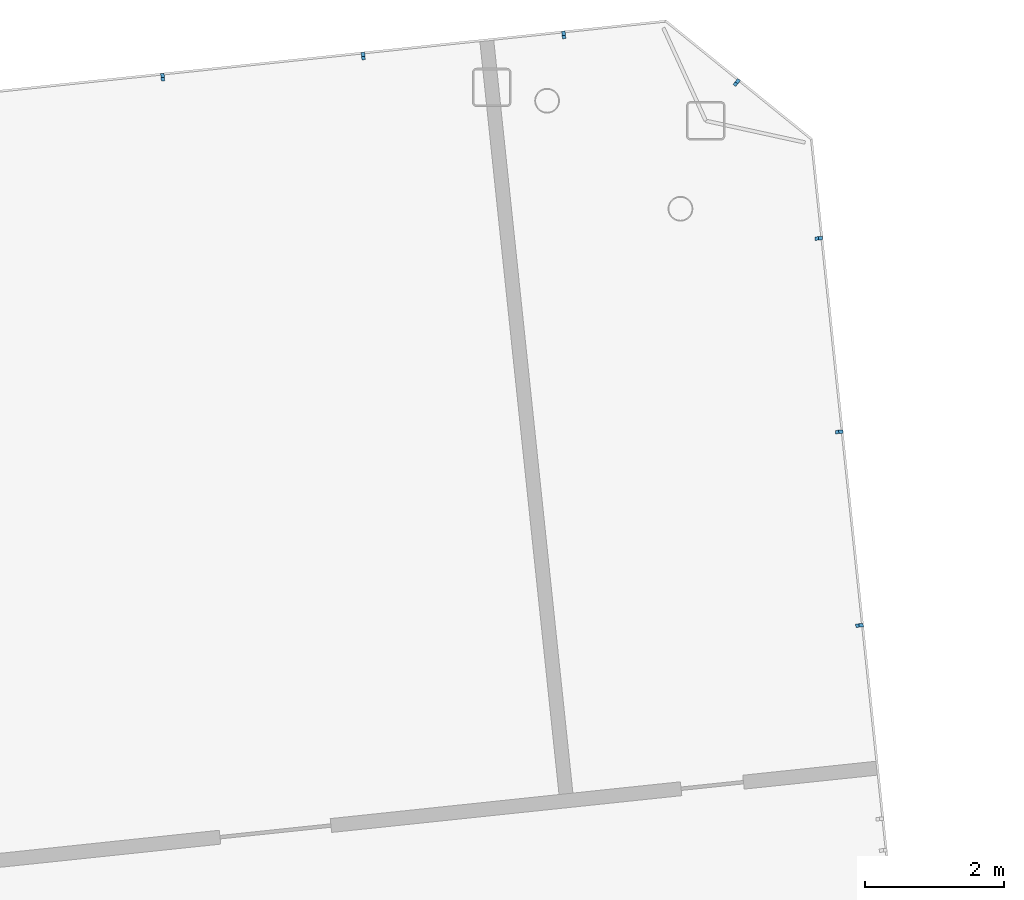
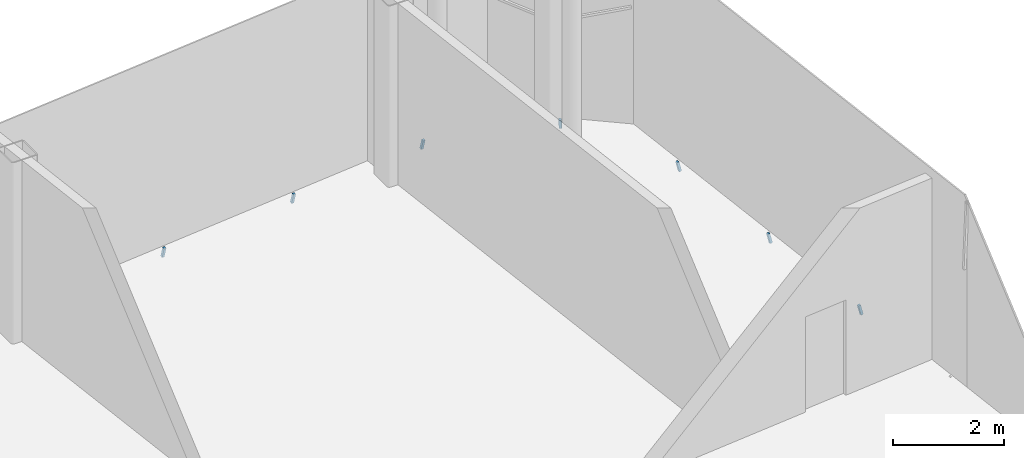
# One storey, part 25 of 28: 7 discrete accessories.
"""IFC4 building model written with IfcOpenShell, lengths in metres."""

from ifc_helpers import new_model, si_unit, direction, frame, origin, origin_2d, place, context, subcontext, project, spatial, rectangle, extrude, material, material_profile, profile_set, type_object, element, save


model = new_model("IFC4")

# Units and contexts
model_context = context("Model", 3, precision=1e-05, world=origin(), true_north=direction((0.0, 1.0)))
body_context = subcontext(model_context, "Body", "Model", "MODEL_VIEW")
ifc_project = project(units=[si_unit("LENGTHUNIT", "METRE"), si_unit("AREAUNIT", "SQUARE_METRE"), si_unit("VOLUMEUNIT", "CUBIC_METRE"), si_unit("PLANEANGLEUNIT", "RADIAN"), si_unit("MASSUNIT", "GRAM", prefix="KILO")], contexts=[model_context])

# Site, building, storey
site_placement = place(None, origin())
site = spatial("IfcSite", under=ifc_project, at=site_placement, CompositionType="ELEMENT")
building_placement = place(site_placement, origin())
building = spatial("IfcBuilding", under=site, at=building_placement, Name="Hakoniwa Tower and Hamabe Station Hall", CompositionType="ELEMENT")
storey_placement = place(building_placement, frame((0.0, 0.0, 280.800048828125)))
storey = spatial("IfcBuildingStorey", under=building, at=storey_placement, Name="L78", CompositionType="ELEMENT", Elevation=280.800048828125)

# Discrete accessories
ifc_material = material(Name="Stainless steel SUS304", Category="steel")
ifc_material_profile = material_profile(ifc_material, rectangle(XDim=0.050048828125, YDim=0.050048828125, at=origin_2d()), Name="CW-4 GLAZING BRACKET 50X50")
ifc_profile_set = profile_set([ifc_material_profile], Name="Stainless steel SUS304")
discrete_accessory_type = type_object("IfcDiscreteAccessoryType", Name="CW-4 GLAZING BRACKET 50X50", PredefinedType="BRACKET", material=ifc_profile_set)
for number, where, z_axis, x_axis, name in (
    (1, (36.3427734375, 20.353759765625, 0.0), (0.256726269009, 0.026196558062, -0.96612906133), (-0.101513688013, 0.994834142531, 0.0), "Glazing bracket"),
    (2, (36.634765625, 17.57763671875, 0.0), (0.255747074986, 0.026203593749, -0.966388537448), (-0.101925414299, 0.994792043555, 0.0), "Glazing bracket"),
    (3, (36.926513671875, 14.801513671875, 0.0), (0.255747074986, 0.026203593749, -0.966388537448), (-0.101925414299, 0.994792043555, 0.0), "Glazing bracket"),
    (4, (35.17626953125, 22.568115234375, 0.0), (0.162431501858, 0.200157528096, -0.966205449762), (-0.776486922384, 0.630133366333, 0.0), "Glazing bracket"),
    (5, (26.96484375, 22.638916015625, 0.0), (-0.027250974089, 0.255739910677, -0.966361465756), (-0.994370656274, -0.105957528947, 0.0), "Glazing bracket"),
    (6, (29.84130859375, 22.941162109375, 0.0), (-0.027243657589, 0.256719081131, -0.966102011438), (-0.994416132921, -0.10552987533, 0.0), "Glazing bracket"),
    (7, (32.717529296875, 23.243408203125, 0.0), (-0.027243657589, 0.256719081131, -0.966102011438), (-0.994416132921, -0.10552987533, 0.0), "Glazing bracket"),
):
    element("IfcDiscreteAccessory", number, at=place(storey_placement, frame(where, z_axis=z_axis, x_axis=x_axis)), inside=storey, type_object=discrete_accessory_type, Name=name, PredefinedType="BRACKET", context=body_context, shape_type="SweptSolid", body=[
        extrude(rectangle(XDim=0.050048828125, YDim=0.050048828125, at=origin_2d()), origin(), (0.0, 0.0, 1.0), 0.23291015625),
    ])

save(model, "model.ifc")
